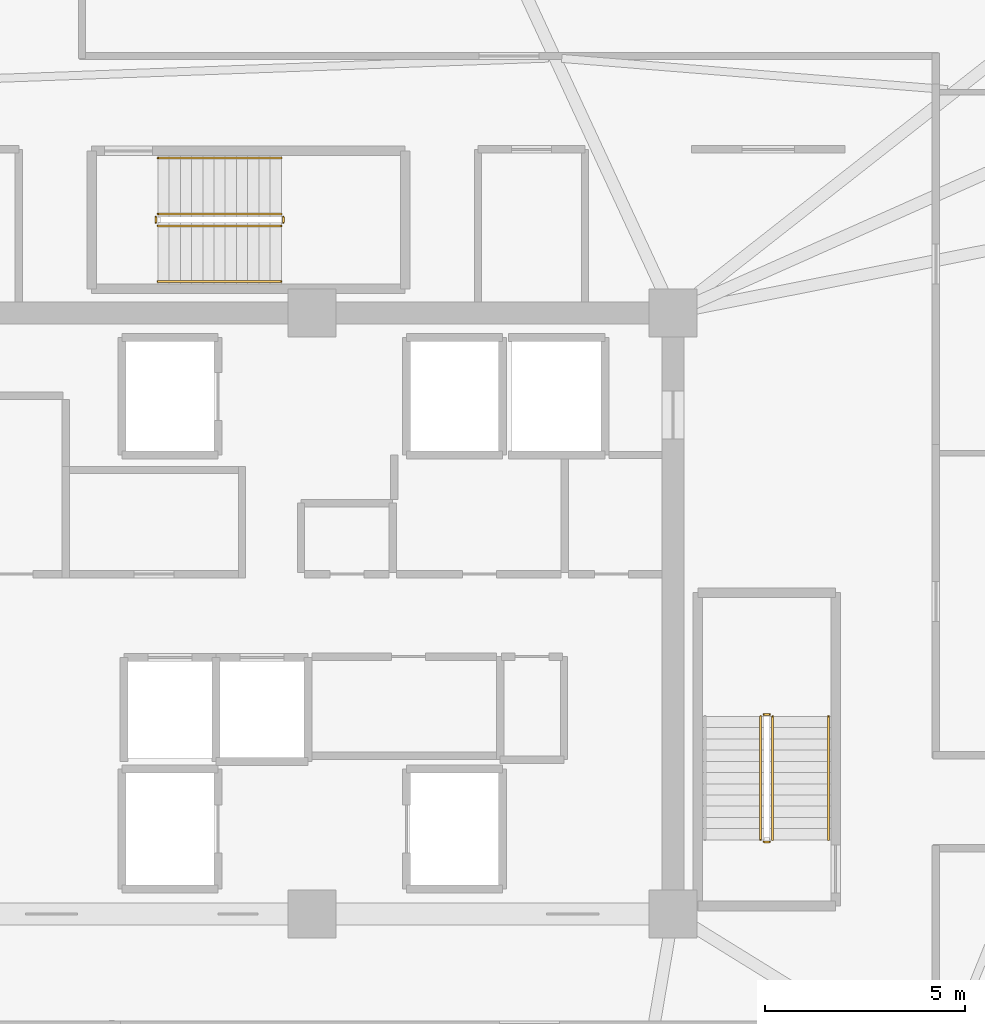
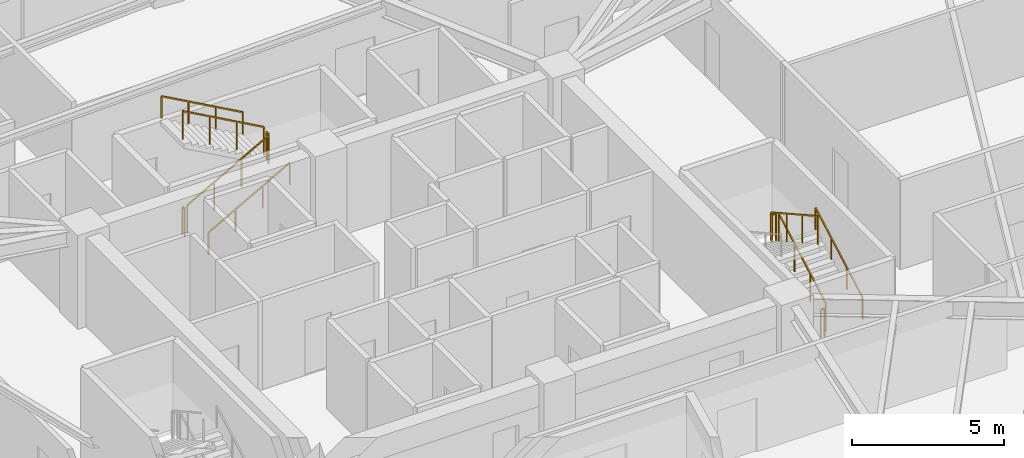
# One storey, part 10 of 10: 11 railings.
"""IFC4 building model written with IfcOpenShell, lengths in metres."""

import ifcopenshell
import ifcopenshell.guid

model = None  # the IFC model being written
_history = None  # IfcOwnerHistory: only IFC2X3 demands one
_inside = {}  # id of a spatial element -> (the spatial element, [elements in it])
_under = {}  # id of a project, library or spatial element -> (it, [spatial elements below it])
_declared = {}  # id of a project -> (the project, [libraries it declares])
_typed = {}  # id of a type object -> (the type object, [elements of that type])
_made_of = {}  # id of a material, layer set ... -> (it, [elements and type objects made of it])


def new_model(schema):
    """Start an empty IFC model of exactly this schema.

    Asked for "IFC4X3", IfcOpenShell would pick the latest addendum, in which some entities
    have other attributes; the version numbers below select the first issue.
    IFC2X3 requires an IfcOwnerHistory on every rooted entity: one is made here for all.
    """
    global model, _history
    if schema == "IFC4X3":
        model = ifcopenshell.file(schema_version=(4, 3, 0, 0))
    else:
        model = ifcopenshell.file(schema=schema)
    _inside.clear()
    _under.clear()
    _declared.clear()
    _typed.clear()
    _made_of.clear()
    _history = None
    if model.schema == "IFC2X3":
        org = make("IfcOrganization", Name="unknown")
        user = make(
            "IfcPersonAndOrganization",
            ThePerson=make("IfcPerson", FamilyName="unknown"),
            TheOrganization=org,
        )
        app = make(
            "IfcApplication",
            ApplicationDeveloper=org,
            Version="unknown",
            ApplicationFullName="unknown",
            ApplicationIdentifier="unknown",
        )
        _history = make(
            "IfcOwnerHistory",
            OwningUser=user,
            OwningApplication=app,
            ChangeAction="ADDED",
            CreationDate=0,
        )
    return model


def make(cls, **values):
    """One entity of the class cls with the attributes given. An attribute that is None is left unset."""
    return model.create_entity(
        cls, **{name: value for name, value in values.items() if value is not None}
    )


def rooted(cls, **values):
    """An entity with a GlobalId (a new one), such as an element, a storey or a relation."""
    return make(cls, GlobalId=ifcopenshell.guid.new(), OwnerHistory=_history, **values)


def si_unit(unit_type, name, prefix=None):
    """IfcSIUnit, for example si_unit("LENGTHUNIT", "METRE", prefix="MILLI")."""
    return make("IfcSIUnit", UnitType=unit_type, Prefix=prefix, Name=name)


def assignment(units):
    """IfcUnitAssignment: the units of a project."""
    return None if units is None else make("IfcUnitAssignment", Units=units)


def point(xyz):
    """IfcCartesianPoint."""
    return None if xyz is None else make("IfcCartesianPoint", Coordinates=xyz)


def direction(xyz):
    """IfcDirection."""
    return None if xyz is None else make("IfcDirection", DirectionRatios=xyz)


def frame(location, z_axis=None, x_axis=None):
    """IfcAxis2Placement3D, a coordinate frame: its origin and axes. An axis left out is left unset."""
    return make(
        "IfcAxis2Placement3D",
        Location=point(location),
        Axis=direction(z_axis),
        RefDirection=direction(x_axis),
    )


def frame_2d(location, x_axis=None):
    """IfcAxis2Placement2D, a coordinate frame in the plane: its origin and x axis."""
    return make(
        "IfcAxis2Placement2D", Location=point(location), RefDirection=direction(x_axis)
    )


def origin():
    """The frame at (0, 0, 0) with its axes left unset."""
    return frame((0.0, 0.0, 0.0))


def origin_2d():
    """The frame at (0, 0) in the plane with its x axis left unset."""
    return frame_2d((0.0, 0.0))


def place(relative_to, where):
    """IfcLocalPlacement: puts the frame where relative to a parent placement (None: the world)."""
    return make(
        "IfcLocalPlacement", PlacementRelTo=relative_to, RelativePlacement=where
    )


def context(
    kind, dimensions, precision=None, world=None, true_north=None, identifier=None
):
    """IfcGeometricRepresentationContext, for example the 3D "Model" context."""
    return make(
        "IfcGeometricRepresentationContext",
        ContextIdentifier=identifier,
        ContextType=kind,
        CoordinateSpaceDimension=dimensions,
        Precision=precision,
        WorldCoordinateSystem=world,
        TrueNorth=true_north,
    )


def subcontext(parent, identifier, kind, view, scale=None):
    """IfcGeometricRepresentationSubContext, for example "Body" below "Model"."""
    return make(
        "IfcGeometricRepresentationSubContext",
        ContextIdentifier=identifier,
        ContextType=kind,
        ParentContext=parent,
        TargetScale=scale,
        TargetView=view,
    )


def project(units=None, contexts=None):
    """IfcProject with its units and contexts."""
    return rooted(
        "IfcProject",
        Name="project",
        RepresentationContexts=contexts,
        UnitsInContext=assignment(units),
    )


def spatial(cls, under=None, at=None, **own):
    """A site, building, storey or space (cls), placed at a placement, below another one or the project."""
    s = rooted(cls, ObjectPlacement=at, **own)
    if under is not None:
        _under.setdefault(under.id(), (under, []))[1].append(s)
    return s


def profile(cls, at=None, kind="AREA", **sizes):
    """A parametric profile (cls). Its sizes go by their IFC names, for example OverallWidth=200.0."""
    return make(cls, ProfileType=kind, Position=at, **sizes)


def rectangle(**sizes):
    """IfcRectangleProfileDef."""
    return profile("IfcRectangleProfileDef", **sizes)


def extrude(swept, where, along, depth):
    """IfcExtrudedAreaSolid: the profile swept, set in the frame where, extruded along a direction by depth."""
    return make(
        "IfcExtrudedAreaSolid",
        SweptArea=swept,
        Position=where,
        ExtrudedDirection=direction(along),
        Depth=depth,
    )


def shape(context_of_items, identifier, shape_type, items):
    """IfcShapeRepresentation: the items that make up one representation, for example the "Body"."""
    return make(
        "IfcShapeRepresentation",
        ContextOfItems=context_of_items,
        RepresentationIdentifier=identifier,
        RepresentationType=shape_type,
        Items=items,
    )


def material(Name=None, Category=None):
    """IfcMaterial."""
    return make("IfcMaterial", Name=Name, Category=Category)


def made_of(thing, what):
    """Note that an element or type object is made of a material, layer set ...; save() writes the relation."""
    if what is not None:
        _made_of.setdefault(what.id(), (what, []))[1].append(thing)
    return thing


def type_object(cls, material=None, **own):
    """A type object (cls), such as IfcWallType, which elements share."""
    return made_of(rooted(cls, **own), material)


def element(
    cls,
    number,
    at=None,
    inside=None,
    cuts=None,
    type_object=None,
    material=None,
    context=None,
    identifier="Body",
    shape_type=None,
    held_by="IfcProductDefinitionShape",
    body=None,
    shapes=None,
    **own,
):
    """One element of the class cls, such as IfcWall. Its Tag is "e" and its number.

    at: its placement. inside: the storey or other place that contains it. cuts: it is an
    opening in that element (IfcRelVoidsElement). A single representation is given by context,
    identifier, shape_type and body (its items); several are given by shapes. held_by: the class
    of the entity that holds the representations. save() writes the other relations.
    """
    e = rooted(cls, Tag="e%d" % number, ObjectPlacement=at, **own)
    if body is not None:
        shapes = [shape(context, identifier, shape_type, body)]
    if shapes is not None:
        e.Representation = make(held_by, Representations=shapes)
    if inside is not None:
        _inside.setdefault(inside.id(), (inside, []))[1].append(e)
    if cuts is not None:
        rooted(
            "IfcRelVoidsElement", RelatingBuildingElement=cuts, RelatedOpeningElement=e
        )
    if type_object is not None:
        _typed.setdefault(type_object.id(), (type_object, []))[1].append(e)
    return made_of(e, material)


def aggregate(whole, parts):
    """IfcRelAggregates: a whole, such as a stair, and the parts it consists of."""
    return rooted("IfcRelAggregates", RelatingObject=whole, RelatedObjects=parts)


def save(model, path):
    """Write the relations noted so far, then the file.

    IfcRelAggregates (storeys below a building ...), IfcRelContainedInSpatialStructure (elements
    in a storey), IfcRelDefinesByType, IfcRelAssociatesMaterial and IfcRelDeclares: one each for
    every whole, place, type object, material and project.
    """
    for whole, parts in _under.values():
        aggregate(whole, parts)
    for where, things in _inside.values():
        rooted(
            "IfcRelContainedInSpatialStructure",
            RelatedElements=things,
            RelatingStructure=where,
        )
    for kind, things in _typed.values():
        rooted("IfcRelDefinesByType", RelatedObjects=things, RelatingType=kind)
    for what, things in _made_of.values():
        rooted("IfcRelAssociatesMaterial", RelatedObjects=things, RelatingMaterial=what)
    for by, libraries in _declared.values():
        rooted("IfcRelDeclares", RelatingContext=by, RelatedDefinitions=libraries)
    model.write(path)


model = new_model("IFC4")

# Units and contexts
model_context = context("Model", 3, precision=1e-05, world=origin(), true_north=direction((0.0, 1.0)))
body_context = subcontext(model_context, "Body", "Model", "MODEL_VIEW")
ifc_project = project(units=[si_unit("LENGTHUNIT", "METRE"), si_unit("AREAUNIT", "SQUARE_METRE"), si_unit("VOLUMEUNIT", "CUBIC_METRE"), si_unit("PLANEANGLEUNIT", "RADIAN"), si_unit("MASSUNIT", "GRAM", prefix="KILO")], contexts=[model_context])

# Site, building, storey
site_placement = place(None, origin())
site = spatial("IfcSite", under=ifc_project, at=site_placement, CompositionType="ELEMENT")
building_placement = place(site_placement, origin())
building = spatial("IfcBuilding", under=site, at=building_placement, Name="Liaohun Quay Tower", CompositionType="ELEMENT")
storey_placement = place(building_placement, frame((0.0, 0.0, 309.0)))
storey = spatial("IfcBuildingStorey", under=building, at=storey_placement, Name="L80", CompositionType="ELEMENT", Elevation=309.0)

# Railings
ifc_material_1 = material(Name="Painted tubular steel", Category="steel")
railing_type_1 = type_object("IfcRailingType", Name="RLG-GUARD-STR", PredefinedType="GUARDRAIL", material=ifc_material_1)
railing_1_placement = place(storey_placement, frame((71.489990234375, 48.35009765625, 0.15625)))
element("IfcRailing", 1, at=railing_1_placement, inside=storey, type_object=railing_type_1, Name="L80 ST-2 stair guard 1", PredefinedType="GUARDRAIL", context=body_context, shape_type="SweptSolid", body=[
    extrude(rectangle(XDim=0.048095703125, YDim=0.048095703125, at=origin_2d()), frame((0.0, 0.0, 1.1259765625), z_axis=(0.0, 0.873225103656, 0.487317061414), x_axis=(-1.0, 0.0, 0.0)), (0.0, 0.0, 1.0), 3.52685546875),
    extrude(rectangle(XDim=0.0419921875, YDim=0.0419921875, at=origin_2d()), origin(), (0.0, 0.0, 1.0), 1.101806640625),
    extrude(rectangle(XDim=0.0419921875, YDim=0.0419921875, at=origin_2d()), frame((0.0, 1.026611328125, 0.572998046875)), (0.0, 0.0, 1.0), 1.101806640625),
    extrude(rectangle(XDim=0.0419921875, YDim=0.0419921875, at=origin_2d()), frame((0.0, 2.05322265625, 1.145751953125)), (0.0, 0.0, 1.0), 1.101806640625),
    extrude(rectangle(XDim=0.0419921875, YDim=0.0419921875, at=origin_2d()), frame((0.0, 3.079833984375, 1.71875)), (0.0, 0.0, 1.0), 1.101806640625),
])
railing_2_placement = place(storey_placement, frame((71.409912109375, 51.47998046875, 1.875)))
element("IfcRailing", 2, at=railing_2_placement, inside=storey, type_object=railing_type_1, Name="L80 ST-2 stair guard 2", PredefinedType="GUARDRAIL", context=body_context, shape_type="SweptSolid", body=[
    extrude(rectangle(XDim=0.048095703125, YDim=0.048095703125, at=origin_2d()), frame((0.0, 0.0, 1.1259765625), z_axis=(-1.0, 0.0, 0.0), x_axis=(0.0, -1.0, 0.0)), (0.0, 0.0, 1.0), 0.139892578125),
    extrude(rectangle(XDim=0.0419921875, YDim=0.0419921875, at=origin_2d()), origin(), (0.0, 0.0, 1.0), 1.101806640625),
    extrude(rectangle(XDim=0.0419921875, YDim=0.0419921875, at=origin_2d()), frame((-0.139892578125, 0.0, 0.0)), (0.0, 0.0, 1.0), 1.101806640625),
])
railing_3_placement = place(storey_placement, frame((71.18994140625, 51.429931640625, 2.03125)))
element("IfcRailing", 3, at=railing_3_placement, inside=storey, type_object=railing_type_1, Name="L80 ST-2 stair guard 3", PredefinedType="GUARDRAIL", context=body_context, shape_type="SweptSolid", body=[
    extrude(rectangle(XDim=0.048095703125, YDim=0.048095703125, at=origin_2d()), frame((0.0, 0.0, 1.1259765625), z_axis=(0.0, -0.873225103656, 0.487317061414), x_axis=(1.0, 0.0, 0.0)), (0.0, 0.0, 1.0), 3.52685546875),
    extrude(rectangle(XDim=0.0419921875, YDim=0.0419921875, at=origin_2d()), origin(), (0.0, 0.0, 1.0), 1.101806640625),
    extrude(rectangle(XDim=0.0419921875, YDim=0.0419921875, at=origin_2d()), frame((0.0, -1.026611328125, 0.572998046875)), (0.0, 0.0, 1.0), 1.101806640625),
    extrude(rectangle(XDim=0.0419921875, YDim=0.0419921875, at=origin_2d()), frame((0.0, -2.05322265625, 1.145751953125)), (0.0, 0.0, 1.0), 1.101806640625),
    extrude(rectangle(XDim=0.0419921875, YDim=0.0419921875, at=origin_2d()), frame((0.0, -3.079833984375, 1.71875)), (0.0, 0.0, 1.0), 1.101806640625),
])
railing_4_placement = place(storey_placement, frame((71.409912109375, 48.300048828125, 0.0)))
element("IfcRailing", 4, at=railing_4_placement, inside=storey, type_object=railing_type_1, Name="L80 ST-2 stair guard 4", PredefinedType="GUARDRAIL", context=body_context, shape_type="SweptSolid", body=[
    extrude(rectangle(XDim=0.048095703125, YDim=0.048095703125, at=origin_2d()), frame((0.0, 0.0, 1.1259765625), z_axis=(-1.0, 0.0, 0.0), x_axis=(0.0, -1.0, 0.0)), (0.0, 0.0, 1.0), 0.139892578125),
    extrude(rectangle(XDim=0.0419921875, YDim=0.0419921875, at=origin_2d()), origin(), (0.0, 0.0, 1.0), 1.101806640625),
    extrude(rectangle(XDim=0.0419921875, YDim=0.0419921875, at=origin_2d()), frame((-0.139892578125, 0.0, 0.0)), (0.0, 0.0, 1.0), 1.101806640625),
])
railing_5_placement = place(storey_placement, frame((56.14990234375, 63.669921875, 0.15625)))
element("IfcRailing", 5, at=railing_5_placement, inside=storey, type_object=railing_type_1, Name="L80 ST-3 stair guard 1", PredefinedType="GUARDRAIL", context=body_context, shape_type="SweptSolid", body=[
    extrude(rectangle(XDim=0.048095703125, YDim=0.048095703125, at=origin_2d()), frame((0.0, 0.0, 1.1259765625), z_axis=(0.873241540666, 0.0, 0.487287606713), x_axis=(0.0, 1.0, 0.0)), (0.0, 0.0, 1.0), 3.527099609375),
    extrude(rectangle(XDim=0.0419921875, YDim=0.0419921875, at=origin_2d()), origin(), (0.0, 0.0, 1.0), 1.101806640625),
    extrude(rectangle(XDim=0.0419921875, YDim=0.0419921875, at=origin_2d()), frame((1.026611328125, 0.0, 0.572998046875)), (0.0, 0.0, 1.0), 1.101806640625),
    extrude(rectangle(XDim=0.0419921875, YDim=0.0419921875, at=origin_2d()), frame((2.053466796875, 0.0, 1.145751953125)), (0.0, 0.0, 1.0), 1.101806640625),
    extrude(rectangle(XDim=0.0419921875, YDim=0.0419921875, at=origin_2d()), frame((3.080078125, 0.0, 1.71875)), (0.0, 0.0, 1.0), 1.101806640625),
])
railing_6_placement = place(storey_placement, frame((59.280029296875, 63.75, 1.875)))
element("IfcRailing", 6, at=railing_6_placement, inside=storey, type_object=railing_type_1, Name="L80 ST-3 stair guard 2", PredefinedType="GUARDRAIL", context=body_context, shape_type="SweptSolid", body=[
    extrude(rectangle(XDim=0.048095703125, YDim=0.048095703125, at=origin_2d()), frame((0.0, 0.0, 1.1259765625), z_axis=(0.0, 1.0, 0.0), x_axis=(-1.0, 0.0, 0.0)), (0.0, 0.0, 1.0), 0.139892578125),
    extrude(rectangle(XDim=0.0419921875, YDim=0.0419921875, at=origin_2d()), origin(), (0.0, 0.0, 1.0), 1.101806640625),
    extrude(rectangle(XDim=0.0419921875, YDim=0.0419921875, at=origin_2d()), frame((0.0, 0.139892578125, 0.0)), (0.0, 0.0, 1.0), 1.101806640625),
])
railing_7_placement = place(storey_placement, frame((59.22998046875, 63.969970703125, 2.03125)))
element("IfcRailing", 7, at=railing_7_placement, inside=storey, type_object=railing_type_1, Name="L80 ST-3 stair guard 3", PredefinedType="GUARDRAIL", context=body_context, shape_type="SweptSolid", body=[
    extrude(rectangle(XDim=0.048095703125, YDim=0.048095703125, at=origin_2d()), frame((0.0, 0.0, 1.1259765625), z_axis=(-0.873241540666, 0.0, 0.487287606713), x_axis=(0.0, -1.0, 0.0)), (0.0, 0.0, 1.0), 3.527099609375),
    extrude(rectangle(XDim=0.0419921875, YDim=0.0419921875, at=origin_2d()), origin(), (0.0, 0.0, 1.0), 1.101806640625),
    extrude(rectangle(XDim=0.0419921875, YDim=0.0419921875, at=origin_2d()), frame((-1.026611328125, 0.0, 0.572998046875)), (0.0, 0.0, 1.0), 1.101806640625),
    extrude(rectangle(XDim=0.0419921875, YDim=0.0419921875, at=origin_2d()), frame((-2.053466796875, 0.0, 1.145751953125)), (0.0, 0.0, 1.0), 1.101806640625),
    extrude(rectangle(XDim=0.0419921875, YDim=0.0419921875, at=origin_2d()), frame((-3.080078125, 0.0, 1.71875)), (0.0, 0.0, 1.0), 1.101806640625),
])
railing_8_placement = place(storey_placement, frame((56.10009765625, 63.75, 0.0)))
element("IfcRailing", 8, at=railing_8_placement, inside=storey, type_object=railing_type_1, Name="L80 ST-3 stair guard 4", PredefinedType="GUARDRAIL", context=body_context, shape_type="SweptSolid", body=[
    extrude(rectangle(XDim=0.048095703125, YDim=0.048095703125, at=origin_2d()), frame((0.0, 0.0, 1.1259765625), z_axis=(0.0, 1.0, 0.0), x_axis=(-1.0, 0.0, 0.0)), (0.0, 0.0, 1.0), 0.139892578125),
    extrude(rectangle(XDim=0.0419921875, YDim=0.0419921875, at=origin_2d()), origin(), (0.0, 0.0, 1.0), 1.101806640625),
    extrude(rectangle(XDim=0.0419921875, YDim=0.0419921875, at=origin_2d()), frame((0.0, 0.139892578125, 0.0)), (0.0, 0.0, 1.0), 1.101806640625),
])
ifc_material_2 = material(Name="Brushed stainless steel", Category="steel")
railing_type_2 = type_object("IfcRailingType", Name="RLG-HND-STR", PredefinedType="HANDRAIL", material=ifc_material_2)
railing_9_placement = place(storey_placement, frame((72.8798828125, 48.35009765625, 0.15625)))
element("IfcRailing", 9, at=railing_9_placement, inside=storey, type_object=railing_type_2, Name="L80 ST-2 stair handrail 1", PredefinedType="HANDRAIL", context=body_context, shape_type="SweptSolid", body=[
    extrude(rectangle(XDim=0.048095703125, YDim=0.048095703125, at=origin_2d()), frame((0.0, 0.0, 0.8759765625), z_axis=(0.0, 0.873225103656, 0.487317061414), x_axis=(-1.0, 0.0, 0.0)), (0.0, 0.0, 1.0), 3.52685546875),
    extrude(rectangle(XDim=0.0419921875, YDim=0.0419921875, at=origin_2d()), origin(), (0.0, 0.0, 1.0), 0.851806640625),
    extrude(rectangle(XDim=0.0419921875, YDim=0.0419921875, at=origin_2d()), frame((0.0, 1.026611328125, 0.572998046875)), (0.0, 0.0, 1.0), 0.851806640625),
    extrude(rectangle(XDim=0.0419921875, YDim=0.0419921875, at=origin_2d()), frame((0.0, 2.05322265625, 1.145751953125)), (0.0, 0.0, 1.0), 0.851806640625),
    extrude(rectangle(XDim=0.0419921875, YDim=0.0419921875, at=origin_2d()), frame((0.0, 3.079833984375, 1.71875)), (0.0, 0.0, 1.0), 0.851806640625),
])
railing_10_placement = place(storey_placement, frame((56.14990234375, 62.280029296875, 0.15625)))
element("IfcRailing", 10, at=railing_10_placement, inside=storey, type_object=railing_type_2, Name="L80 ST-3 stair handrail 1", PredefinedType="HANDRAIL", context=body_context, shape_type="SweptSolid", body=[
    extrude(rectangle(XDim=0.048095703125, YDim=0.048095703125, at=origin_2d()), frame((0.0, 0.0, 0.8759765625), z_axis=(0.873241540666, 0.0, 0.487287606713), x_axis=(0.0, 1.0, 0.0)), (0.0, 0.0, 1.0), 3.527099609375),
    extrude(rectangle(XDim=0.0419921875, YDim=0.0419921875, at=origin_2d()), origin(), (0.0, 0.0, 1.0), 0.851806640625),
    extrude(rectangle(XDim=0.0419921875, YDim=0.0419921875, at=origin_2d()), frame((1.026611328125, 0.0, 0.572998046875)), (0.0, 0.0, 1.0), 0.851806640625),
    extrude(rectangle(XDim=0.0419921875, YDim=0.0419921875, at=origin_2d()), frame((2.053466796875, 0.0, 1.145751953125)), (0.0, 0.0, 1.0), 0.851806640625),
    extrude(rectangle(XDim=0.0419921875, YDim=0.0419921875, at=origin_2d()), frame((3.080078125, 0.0, 1.71875)), (0.0, 0.0, 1.0), 0.851806640625),
])
railing_11_placement = place(storey_placement, frame((59.22998046875, 65.360107421875, 2.03125)))
element("IfcRailing", 11, at=railing_11_placement, inside=storey, type_object=railing_type_2, Name="L80 ST-3 stair handrail 2", PredefinedType="HANDRAIL", context=body_context, shape_type="SweptSolid", body=[
    extrude(rectangle(XDim=0.048095703125, YDim=0.048095703125, at=origin_2d()), frame((0.0, 0.0, 0.8759765625), z_axis=(-0.873241540666, 0.0, 0.487287606713), x_axis=(0.0, -1.0, 0.0)), (0.0, 0.0, 1.0), 3.527099609375),
    extrude(rectangle(XDim=0.0419921875, YDim=0.0419921875, at=origin_2d()), origin(), (0.0, 0.0, 1.0), 0.851806640625),
    extrude(rectangle(XDim=0.0419921875, YDim=0.0419921875, at=origin_2d()), frame((-1.026611328125, 0.0, 0.572998046875)), (0.0, 0.0, 1.0), 0.851806640625),
    extrude(rectangle(XDim=0.0419921875, YDim=0.0419921875, at=origin_2d()), frame((-2.053466796875, 0.0, 1.145751953125)), (0.0, 0.0, 1.0), 0.851806640625),
    extrude(rectangle(XDim=0.0419921875, YDim=0.0419921875, at=origin_2d()), frame((-3.080078125, 0.0, 1.71875)), (0.0, 0.0, 1.0), 0.851806640625),
])

save(model, "model.ifc")
